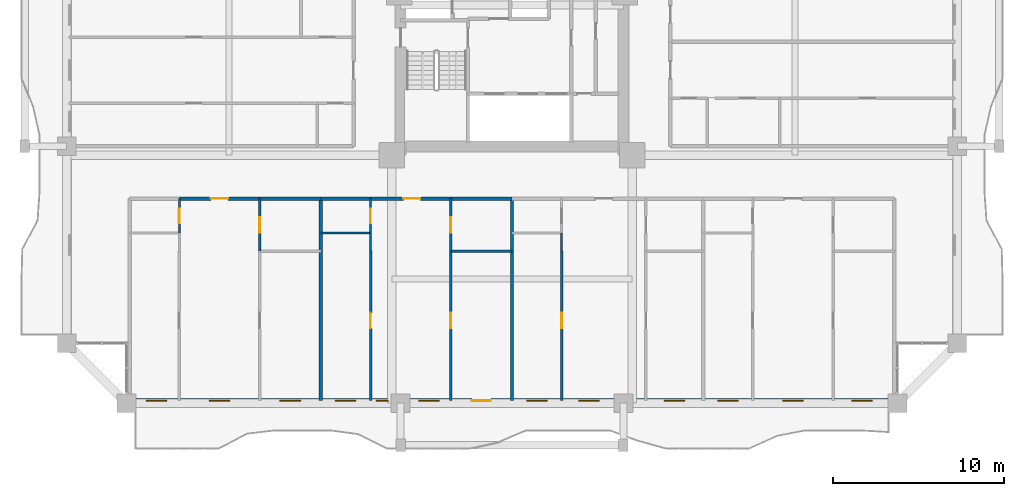
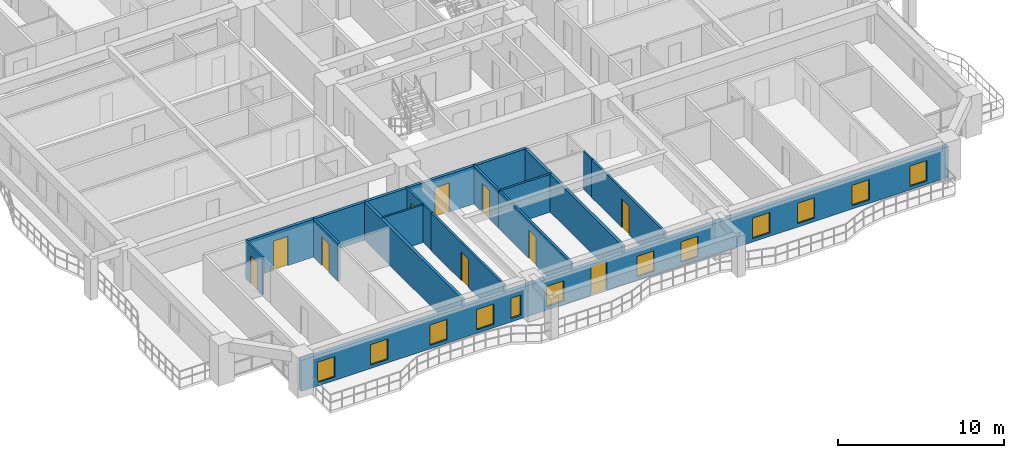
# One storey, part 14 of 27: 19 walls, 12 windows, 10 doors, 22 openings.
"""IFC4 building model written with IfcOpenShell, lengths in metres."""

from ifc_helpers import new_model, si_unit, direction, frame, frame_2d, origin, place, context, subcontext, project, spatial, rectangle, extrude, source, transform, mapped, material, layer, layer_set, type_object, element, fill, save


model = new_model("IFC4")

# Units and contexts
model_context = context("Model", 3, precision=1e-05, world=origin(), true_north=direction((0.0, 1.0)))
body_context = subcontext(model_context, "Body", "Model", "MODEL_VIEW")
ifc_project = project(units=[si_unit("LENGTHUNIT", "METRE"), si_unit("AREAUNIT", "SQUARE_METRE"), si_unit("VOLUMEUNIT", "CUBIC_METRE"), si_unit("PLANEANGLEUNIT", "RADIAN"), si_unit("MASSUNIT", "GRAM", prefix="KILO")], contexts=[model_context])

# Site, building, storey
site_placement = place(None, origin())
site = spatial("IfcSite", under=ifc_project, at=site_placement, CompositionType="ELEMENT")
building_placement = place(site_placement, origin())
building = spatial("IfcBuilding", under=site, at=building_placement, Name="Saelheon Loggia Tower", CompositionType="ELEMENT")
storey_placement = place(building_placement, frame((0.0, 0.0, 43.39990234375)))
storey = spatial("IfcBuildingStorey", under=building, at=storey_placement, Name="L13", CompositionType="ELEMENT", Elevation=43.39990234375)

# Wall, openings, windows, door
ifc_material_1 = material(Name="Architectural Precast Concrete C40/50", Category="concrete")
ifc_layer_1 = layer(ifc_material_1, 0.280029296875)
ifc_layer_set_1 = layer_set([ifc_layer_1], Name="Architectural Precast Concrete C40/50")
wall_type_1 = type_object("IfcWallType", Name="Wall_Ext_Loggia_280", PredefinedType="SOLIDWALL", material=ifc_layer_set_1)
wall_1_placement = place(storey_placement, frame((15.5, 3.139892578125, 0.0), z_axis=(0.0, 0.0, 1.0), x_axis=(1.0, 0.0, 0.0)))
wall_1 = element("IfcWall", 1, at=wall_1_placement, inside=storey, type_object=wall_type_1, Name="L13 South Loggia Inner Wall", PredefinedType="SOLIDWALL", context=body_context, shape_type="SweptSolid", body=[
    extrude(rectangle(XDim=45.0, YDim=0.280029296875, at=frame_2d((22.5, 0.0))), origin(), (0.0, 0.0, 1.0), 2.280029296875),
])
opening_1_placement = place(wall_1_placement, frame((1.1357421875, 0.0, 0.25)))
opening_1 = element("IfcOpeningElement", 2, at=opening_1_placement, cuts=wall_1, Name="Opening WN-03", PredefinedType="OPENING", context=body_context, shape_type="SweptSolid", body=[
    extrude(rectangle(XDim=1.199951171875, YDim=1.5, at=frame_2d((0.60009765625, 0.75))), frame((0.0, 0.152099609375, 0.0), z_axis=(0.0, -1.0, 0.0), x_axis=(1.0, 0.0, 0.0)), (0.0, 0.0, 1.0), 0.303955078125),
])
opening_2_placement = place(wall_1_placement, frame((4.8251953125, 0.0, 0.25)))
opening_2 = element("IfcOpeningElement", 3, at=opening_2_placement, cuts=wall_1, Name="Opening WN-03", PredefinedType="OPENING", context=body_context, shape_type="SweptSolid", body=[
    extrude(rectangle(XDim=1.199951171875, YDim=1.5, at=frame_2d((0.60009765625, 0.75))), frame((0.0, 0.152099609375, 0.0), z_axis=(0.0, -1.0, 0.0), x_axis=(1.0, 0.0, 0.0)), (0.0, 0.0, 1.0), 0.303955078125),
])
opening_3_placement = place(wall_1_placement, frame((8.954345703125, 0.0, 0.25)))
opening_3 = element("IfcOpeningElement", 4, at=opening_3_placement, cuts=wall_1, Name="Opening WN-03", PredefinedType="OPENING", context=body_context, shape_type="SweptSolid", body=[
    extrude(rectangle(XDim=1.199951171875, YDim=1.5, at=frame_2d((0.60009765625, 0.75))), frame((0.0, 0.152099609375, 0.0), z_axis=(0.0, -1.0, 0.0), x_axis=(1.0, 0.0, 0.0)), (0.0, 0.0, 1.0), 0.303955078125),
])
opening_4_placement = place(wall_1_placement, frame((12.19091796875, 0.0, 0.25)))
opening_4 = element("IfcOpeningElement", 5, at=opening_4_placement, cuts=wall_1, Name="Opening WN-03", PredefinedType="OPENING", context=body_context, shape_type="SweptSolid", body=[
    extrude(rectangle(XDim=1.199951171875, YDim=1.5, at=frame_2d((0.60009765625, 0.75))), frame((0.0, 0.152099609375, 0.0), z_axis=(0.0, -1.0, 0.0), x_axis=(1.0, 0.0, 0.0)), (0.0, 0.0, 1.0), 0.303955078125),
])
opening_5_placement = place(wall_1_placement, frame((14.57568359375, 0.0, 0.25)))
opening_5 = element("IfcOpeningElement", 6, at=opening_5_placement, cuts=wall_1, Name="Opening WN-06", PredefinedType="OPENING", context=body_context, shape_type="SweptSolid", body=[
    extrude(rectangle(XDim=0.699951171875, YDim=1.5, at=frame_2d((0.35009765625, 0.75))), frame((0.0, 0.152099609375, 0.0), z_axis=(0.0, -1.0, 0.0), x_axis=(1.0, 0.0, 0.0)), (0.0, 0.0, 1.0), 0.303955078125),
])
opening_6_placement = place(wall_1_placement, frame((17.059326171875, 0.0, 0.25)))
opening_6 = element("IfcOpeningElement", 7, at=opening_6_placement, cuts=wall_1, Name="Opening WN-03", PredefinedType="OPENING", context=body_context, shape_type="SweptSolid", body=[
    extrude(rectangle(XDim=1.199951171875, YDim=1.5, at=frame_2d((0.60009765625, 0.75))), frame((0.0, 0.152099609375, 0.0), z_axis=(0.0, -1.0, 0.0), x_axis=(1.0, 0.0, 0.0)), (0.0, 0.0, 1.0), 0.303955078125),
])
opening_7_placement = place(wall_1_placement, frame((21.264404296875, 0.0, 0.0), z_axis=(0.0, 0.0, 1.0), x_axis=(-1.0, 0.0, 0.0)))
opening_7 = element("IfcOpeningElement", 8, at=opening_7_placement, cuts=wall_1, Name="Opening TD1", PredefinedType="OPENING", context=body_context, shape_type="SweptSolid", body=[
    extrude(rectangle(XDim=1.10009765625, YDim=2.14990234375, at=frame_2d((0.550048828125, 1.074951171875))), frame((0.0, 0.152099609375, 0.0), z_axis=(0.0, -1.0, 0.0), x_axis=(1.0, 0.0, 0.0)), (0.0, 0.0, 1.0), 0.303955078125),
])
opening_8_placement = place(wall_1_placement, frame((23.350830078125, 0.0, 0.25)))
opening_8 = element("IfcOpeningElement", 9, at=opening_8_placement, cuts=wall_1, Name="Opening WN-03", PredefinedType="OPENING", context=body_context, shape_type="SweptSolid", body=[
    extrude(rectangle(XDim=1.199951171875, YDim=1.5, at=frame_2d((0.60009765625, 0.75))), frame((0.0, 0.152099609375, 0.0), z_axis=(0.0, -1.0, 0.0), x_axis=(1.0, 0.0, 0.0)), (0.0, 0.0, 1.0), 0.303955078125),
])
opening_9_placement = place(wall_1_placement, frame((26.40576171875, 0.0, 0.25)))
opening_9 = element("IfcOpeningElement", 10, at=opening_9_placement, cuts=wall_1, Name="Opening WN-03", PredefinedType="OPENING", context=body_context, shape_type="SweptSolid", body=[
    extrude(rectangle(XDim=1.199951171875, YDim=1.5, at=frame_2d((0.60009765625, 0.75))), frame((0.0, 0.152099609375, 0.0), z_axis=(0.0, -1.0, 0.0), x_axis=(1.0, 0.0, 0.0)), (0.0, 0.0, 1.0), 0.303955078125),
])
opening_10_placement = place(wall_1_placement, frame((31.389892578125, 0.0, 0.25)))
opening_10 = element("IfcOpeningElement", 11, at=opening_10_placement, cuts=wall_1, Name="Opening WN-03", PredefinedType="OPENING", context=body_context, shape_type="SweptSolid", body=[
    extrude(rectangle(XDim=1.199951171875, YDim=1.5, at=frame_2d((0.60009765625, 0.75))), frame((0.0, 0.152099609375, 0.0), z_axis=(0.0, -1.0, 0.0), x_axis=(1.0, 0.0, 0.0)), (0.0, 0.0, 1.0), 0.303955078125),
])
opening_11_placement = place(wall_1_placement, frame((34.5107421875, 0.0, 0.25)))
opening_11 = element("IfcOpeningElement", 12, at=opening_11_placement, cuts=wall_1, Name="Opening WN-03", PredefinedType="OPENING", context=body_context, shape_type="SweptSolid", body=[
    extrude(rectangle(XDim=1.199951171875, YDim=1.5, at=frame_2d((0.60009765625, 0.75))), frame((0.0, 0.152099609375, 0.0), z_axis=(0.0, -1.0, 0.0), x_axis=(1.0, 0.0, 0.0)), (0.0, 0.0, 1.0), 0.303955078125),
])
opening_12_placement = place(wall_1_placement, frame((38.30517578125, 0.0, 0.25)))
opening_12 = element("IfcOpeningElement", 13, at=opening_12_placement, cuts=wall_1, Name="Opening WN-03", PredefinedType="OPENING", context=body_context, shape_type="SweptSolid", body=[
    extrude(rectangle(XDim=1.199951171875, YDim=1.5, at=frame_2d((0.60009765625, 0.75))), frame((0.0, 0.152099609375, 0.0), z_axis=(0.0, -1.0, 0.0), x_axis=(1.0, 0.0, 0.0)), (0.0, 0.0, 1.0), 0.303955078125),
])
opening_13_placement = place(wall_1_placement, frame((42.329345703125, 0.0, 0.25)))
opening_13 = element("IfcOpeningElement", 14, at=opening_13_placement, cuts=wall_1, Name="Opening WN-03", PredefinedType="OPENING", context=body_context, shape_type="SweptSolid", body=[
    extrude(rectangle(XDim=1.199951171875, YDim=1.5, at=frame_2d((0.60009765625, 0.75))), frame((0.0, 0.152099609375, 0.0), z_axis=(0.0, -1.0, 0.0), x_axis=(1.0, 0.0, 0.0)), (0.0, 0.0, 1.0), 0.303955078125),
])
ifc_material_2 = material(Name="Thermal-Break Aluminium and Triple Low-E Glass", Category="aluminium")
window_type_1 = type_object("IfcWindowType", Name="Win_Slot_700x1500", PartitioningType="SINGLE_PANEL", PredefinedType="WINDOW", material=ifc_material_2)
shared_shape_1 = source(origin(), body_context, "Body", "SweptSolid", [
    extrude(rectangle(XDim=0.699951171875, YDim=1.5, at=frame_2d((0.35009765625, 0.75))), frame((0.0, 0.030029296875, 0.0), z_axis=(0.0, -1.0, 0.0), x_axis=(1.0, 0.0, 0.0)), (0.0, 0.0, 1.0), 0.06005859375),
])
window_1_placement = place(opening_5_placement, origin())
window_1 = element("IfcWindow", 15, at=window_1_placement, inside=storey, type_object=window_type_1, Name="L13 S Dwelling Window 5", OverallHeight=1.5, OverallWidth=0.699951171875, PartitioningType="SINGLE_PANEL", PredefinedType="WINDOW", context=body_context, shape_type="MappedRepresentation", body=[
    mapped(shared_shape_1, transform((0.0, 0.0, 0.0), scale=1.0)),
])
fill(opening_5, window_1)
window_type_2 = type_object("IfcWindowType", Name="Win_Bedroom_1200x1500", PartitioningType="SINGLE_PANEL", PredefinedType="WINDOW", material=ifc_material_2)
shared_shape_2 = source(origin(), body_context, "Body", "SweptSolid", [
    extrude(rectangle(XDim=1.199951171875, YDim=1.5, at=frame_2d((0.60009765625, 0.75))), frame((0.0, 0.030029296875, 0.0), z_axis=(0.0, -1.0, 0.0), x_axis=(1.0, 0.0, 0.0)), (0.0, 0.0, 1.0), 0.06005859375),
])
window_2_placement = place(opening_1_placement, origin())
window_2 = element("IfcWindow", 16, at=window_2_placement, inside=storey, type_object=window_type_2, Name="L13 S Dwelling Window 1", OverallHeight=1.5, OverallWidth=1.199951171875, PartitioningType="SINGLE_PANEL", PredefinedType="WINDOW", context=body_context, shape_type="MappedRepresentation", body=[
    mapped(shared_shape_2, transform((0.0, 0.0, 0.0), scale=1.0)),
])
fill(opening_1, window_2)
window_3_placement = place(opening_2_placement, origin())
window_3 = element("IfcWindow", 17, at=window_3_placement, inside=storey, type_object=window_type_2, Name="L13 S Dwelling Window 2", OverallHeight=1.5, OverallWidth=1.199951171875, PartitioningType="SINGLE_PANEL", PredefinedType="WINDOW", context=body_context, shape_type="MappedRepresentation", body=[
    mapped(shared_shape_2, transform((0.0, 0.0, 0.0), scale=1.0)),
])
fill(opening_2, window_3)
window_4_placement = place(opening_3_placement, origin())
window_4 = element("IfcWindow", 18, at=window_4_placement, inside=storey, type_object=window_type_2, Name="L13 S Dwelling Window 3", OverallHeight=1.5, OverallWidth=1.199951171875, PartitioningType="SINGLE_PANEL", PredefinedType="WINDOW", context=body_context, shape_type="MappedRepresentation", body=[
    mapped(shared_shape_2, transform((0.0, 0.0, 0.0), scale=1.0)),
])
fill(opening_3, window_4)
window_5_placement = place(opening_4_placement, origin())
window_5 = element("IfcWindow", 19, at=window_5_placement, inside=storey, type_object=window_type_2, Name="L13 S Dwelling Window 4", OverallHeight=1.5, OverallWidth=1.199951171875, PartitioningType="SINGLE_PANEL", PredefinedType="WINDOW", context=body_context, shape_type="MappedRepresentation", body=[
    mapped(shared_shape_2, transform((0.0, 0.0, 0.0), scale=1.0)),
])
fill(opening_4, window_5)
window_6_placement = place(opening_6_placement, origin())
window_6 = element("IfcWindow", 20, at=window_6_placement, inside=storey, type_object=window_type_2, Name="L13 S Dwelling Window 6", OverallHeight=1.5, OverallWidth=1.199951171875, PartitioningType="SINGLE_PANEL", PredefinedType="WINDOW", context=body_context, shape_type="MappedRepresentation", body=[
    mapped(shared_shape_2, transform((0.0, 0.0, 0.0), scale=1.0)),
])
fill(opening_6, window_6)
window_7_placement = place(opening_8_placement, origin())
window_7 = element("IfcWindow", 21, at=window_7_placement, inside=storey, type_object=window_type_2, Name="L13 S Dwelling Window 8", OverallHeight=1.5, OverallWidth=1.199951171875, PartitioningType="SINGLE_PANEL", PredefinedType="WINDOW", context=body_context, shape_type="MappedRepresentation", body=[
    mapped(shared_shape_2, transform((0.0, 0.0, 0.0), scale=1.0)),
])
fill(opening_8, window_7)
window_8_placement = place(opening_9_placement, origin())
window_8 = element("IfcWindow", 22, at=window_8_placement, inside=storey, type_object=window_type_2, Name="L13 S Dwelling Window 9", OverallHeight=1.5, OverallWidth=1.199951171875, PartitioningType="SINGLE_PANEL", PredefinedType="WINDOW", context=body_context, shape_type="MappedRepresentation", body=[
    mapped(shared_shape_2, transform((0.0, 0.0, 0.0), scale=1.0)),
])
fill(opening_9, window_8)
window_9_placement = place(opening_10_placement, origin())
window_9 = element("IfcWindow", 23, at=window_9_placement, inside=storey, type_object=window_type_2, Name="L13 S Dwelling Window 10", OverallHeight=1.5, OverallWidth=1.199951171875, PartitioningType="SINGLE_PANEL", PredefinedType="WINDOW", context=body_context, shape_type="MappedRepresentation", body=[
    mapped(shared_shape_2, transform((0.0, 0.0, 0.0), scale=1.0)),
])
fill(opening_10, window_9)
window_10_placement = place(opening_11_placement, origin())
window_10 = element("IfcWindow", 24, at=window_10_placement, inside=storey, type_object=window_type_2, Name="L13 S Dwelling Window 11", OverallHeight=1.5, OverallWidth=1.199951171875, PartitioningType="SINGLE_PANEL", PredefinedType="WINDOW", context=body_context, shape_type="MappedRepresentation", body=[
    mapped(shared_shape_2, transform((0.0, 0.0, 0.0), scale=1.0)),
])
fill(opening_11, window_10)
window_11_placement = place(opening_12_placement, origin())
window_11 = element("IfcWindow", 25, at=window_11_placement, inside=storey, type_object=window_type_2, Name="L13 S Dwelling Window 12", OverallHeight=1.5, OverallWidth=1.199951171875, PartitioningType="SINGLE_PANEL", PredefinedType="WINDOW", context=body_context, shape_type="MappedRepresentation", body=[
    mapped(shared_shape_2, transform((0.0, 0.0, 0.0), scale=1.0)),
])
fill(opening_12, window_11)
window_12_placement = place(opening_13_placement, origin())
window_12 = element("IfcWindow", 26, at=window_12_placement, inside=storey, type_object=window_type_2, Name="L13 S Dwelling Window 13", OverallHeight=1.5, OverallWidth=1.199951171875, PartitioningType="SINGLE_PANEL", PredefinedType="WINDOW", context=body_context, shape_type="MappedRepresentation", body=[
    mapped(shared_shape_2, transform((0.0, 0.0, 0.0), scale=1.0)),
])
fill(opening_13, window_12)
ifc_material_3 = material(Name="Thermal-Break Aluminium Glazed Door", Category="aluminium")
door_type_1 = type_object("IfcDoorType", Name="Door_Terrace_TD1", OperationType="NOTDEFINED", PredefinedType="DOOR", material=ifc_material_3)
shared_shape_3 = source(origin(), body_context, "Body", "SweptSolid", [
    extrude(rectangle(XDim=1.10009765625, YDim=2.14990234375, at=frame_2d((0.550048828125, 1.074951171875))), frame((0.0, 0.02490234375, 0.0), z_axis=(0.0, -1.0, 0.0), x_axis=(1.0, 0.0, 0.0)), (0.0, 0.0, 1.0), 0.050048828125),
])
door_1_placement = place(opening_7_placement, origin())
door_1 = element("IfcDoor", 27, at=door_1_placement, inside=storey, type_object=door_type_1, Name="L13 S Loggia Access Door", OperationType="SINGLE_SWING_LEFT", OverallHeight=2.14990234375, OverallWidth=1.10009765625, PredefinedType="DOOR", context=body_context, shape_type="MappedRepresentation", body=[
    mapped(shared_shape_3, transform((0.0, 0.0, 0.0), scale=1.0)),
])
fill(opening_7, door_1)

# Wall, opening, door
ifc_material_4 = material(Name="Lightweight Autoclaved Aerated Concrete Block and Acoustic Gypsum", Category="concrete")
ifc_layer_2 = layer(ifc_material_4, 0.14990234375)
ifc_layer_set_2 = layer_set([ifc_layer_2], Name="Lightweight Autoclaved Aerated Concrete Block and Acoustic Gypsum")
wall_type_2 = type_object("IfcWallType", Name="Wall_Part_150", PredefinedType="PARTITIONING", material=ifc_layer_set_2)
wall_2_placement = place(storey_placement, frame((23.268798828125, 14.949951171875, 0.0), z_axis=(0.0, 0.0, 1.0), x_axis=(0.0, -1.0, 0.0)))
wall_2 = element("IfcWall", 28, at=wall_2_placement, inside=storey, type_object=wall_type_2, Name="L13 S Partition U11", PredefinedType="PARTITIONING", context=body_context, shape_type="SweptSolid", body=[
    extrude(rectangle(XDim=3.070068359375, YDim=0.14990234375, at=frame_2d((1.53515625, 0.0))), origin(), (0.0, 0.0, 1.0), 2.7900390625),
])
opening_14_placement = place(wall_2_placement, frame((1.0849609375, 0.0, 0.0)))
opening_14 = element("IfcOpeningElement", 29, at=opening_14_placement, cuts=wall_2, Name="Opening D-IN2", PredefinedType="OPENING", context=body_context, shape_type="SweptSolid", body=[
    extrude(rectangle(XDim=0.89990234375, YDim=2.10009765625, at=frame_2d((0.449951171875, 1.050048828125))), frame((0.0, 0.0869140625, 0.0), z_axis=(0.0, -1.0, 0.0), x_axis=(1.0, 0.0, 0.0)), (0.0, 0.0, 1.0), 0.173828125),
])
ifc_material_5 = material(Name="Engineered Oak Flush Door", Category="timber")
door_type_2 = type_object("IfcDoorType", Name="Door_Int_900", OperationType="NOTDEFINED", PredefinedType="DOOR", material=ifc_material_5)
shared_shape_4 = source(origin(), body_context, "Body", "SweptSolid", [
    extrude(rectangle(XDim=0.89990234375, YDim=2.10009765625, at=frame_2d((0.449951171875, 1.050048828125))), frame((0.0, 0.02490234375, 0.0), z_axis=(0.0, -1.0, 0.0), x_axis=(1.0, 0.0, 0.0)), (0.0, 0.0, 1.0), 0.050048828125),
])
door_2_placement = place(opening_14_placement, origin())
door_2 = element("IfcDoor", 30, at=door_2_placement, inside=storey, type_object=door_type_2, Name="Unit U01 Kitchen Door", OperationType="SINGLE_SWING_RIGHT", OverallHeight=2.10009765625, OverallWidth=0.89990234375, PredefinedType="DOOR", context=body_context, shape_type="MappedRepresentation", body=[
    mapped(shared_shape_4, transform((0.0, 0.0, 0.0), scale=1.0)),
])
fill(opening_14, door_2)

# Wall
wall_3_placement = place(storey_placement, frame((34.4287109375, 11.8798828125, 0.0), z_axis=(0.0, 0.0, 1.0), x_axis=(1.0, 0.0, 0.0)))
element("IfcWall", 31, at=wall_3_placement, inside=storey, type_object=wall_type_2, Name="L13 S Partition V18", PredefinedType="PARTITIONING", context=body_context, shape_type="SweptSolid", body=[
    extrude(rectangle(XDim=3.5712890625, YDim=0.14990234375, at=frame_2d((1.78564453125, 0.0))), origin(), (0.0, 0.0, 1.0), 2.7900390625),
])

# Wall, opening, door
wall_4_placement = place(storey_placement, frame((29.74169921875, 11.8798828125, 0.0), z_axis=(0.0, 0.0, 1.0), x_axis=(0.0, -1.0, 0.0)))
wall_4 = element("IfcWall", 32, at=wall_4_placement, inside=storey, type_object=wall_type_2, Name="L13 S Partition U21", PredefinedType="PARTITIONING", context=body_context, shape_type="SweptSolid", body=[
    extrude(rectangle(XDim=8.72998046875, YDim=0.14990234375, at=frame_2d((4.364990234375, 0.0))), origin(), (0.0, 0.0, 1.0), 2.7900390625),
])
opening_15_placement = place(wall_4_placement, frame((3.608642578125, 0.0, 0.0)))
opening_15 = element("IfcOpeningElement", 33, at=opening_15_placement, cuts=wall_4, Name="Opening D-IN2", PredefinedType="OPENING", context=body_context, shape_type="SweptSolid", body=[
    extrude(rectangle(XDim=0.89990234375, YDim=2.10009765625, at=frame_2d((0.449951171875, 1.050048828125))), frame((0.0, 0.0869140625, 0.0), z_axis=(0.0, -1.0, 0.0), x_axis=(1.0, 0.0, 0.0)), (0.0, 0.0, 1.0), 0.173828125),
])
door_3_placement = place(opening_15_placement, origin())
door_3 = element("IfcDoor", 34, at=door_3_placement, inside=storey, type_object=door_type_2, Name="Unit U02 Bedroom 2 Door", OperationType="SINGLE_SWING_RIGHT", OverallHeight=2.10009765625, OverallWidth=0.89990234375, PredefinedType="DOOR", context=body_context, shape_type="MappedRepresentation", body=[
    mapped(shared_shape_4, transform((0.0, 0.0, 0.0), scale=1.0)),
])
fill(opening_15, door_3)

wall_5_placement = place(storey_placement, frame((34.4287109375, 14.949951171875, 0.0), z_axis=(0.0, 0.0, 1.0), x_axis=(0.0, -1.0, 0.0)))
wall_5 = element("IfcWall", 35, at=wall_5_placement, inside=storey, type_object=wall_type_2, Name="L13 S Partition U22", PredefinedType="PARTITIONING", context=body_context, shape_type="SweptSolid", body=[
    extrude(rectangle(XDim=3.070068359375, YDim=0.14990234375, at=frame_2d((1.53515625, 0.0))), origin(), (0.0, 0.0, 1.0), 2.7900390625),
])
opening_16_placement = place(wall_5_placement, frame((1.0849609375, 0.0, 0.0)))
opening_16 = element("IfcOpeningElement", 36, at=opening_16_placement, cuts=wall_5, Name="Opening D-IN2", PredefinedType="OPENING", context=body_context, shape_type="SweptSolid", body=[
    extrude(rectangle(XDim=0.89990234375, YDim=2.10009765625, at=frame_2d((0.449951171875, 1.050048828125))), frame((0.0, 0.0869140625, 0.0), z_axis=(0.0, -1.0, 0.0), x_axis=(1.0, 0.0, 0.0)), (0.0, 0.0, 1.0), 0.173828125),
])
door_4_placement = place(opening_16_placement, origin())
door_4 = element("IfcDoor", 37, at=door_4_placement, inside=storey, type_object=door_type_2, Name="Unit U02 Kitchen Door", OperationType="SINGLE_SWING_LEFT", OverallHeight=2.10009765625, OverallWidth=0.89990234375, PredefinedType="DOOR", context=body_context, shape_type="MappedRepresentation", body=[
    mapped(shared_shape_4, transform((0.0, 0.0, 0.0), scale=1.0)),
])
fill(opening_16, door_4)

wall_6_placement = place(storey_placement, frame((34.4287109375, 11.8798828125, 0.0), z_axis=(0.0, 0.0, 1.0), x_axis=(0.0, -1.0, 0.0)))
wall_6 = element("IfcWall", 38, at=wall_6_placement, inside=storey, type_object=wall_type_2, Name="L13 S Partition U23", PredefinedType="PARTITIONING", context=body_context, shape_type="SweptSolid", body=[
    extrude(rectangle(XDim=8.72998046875, YDim=0.14990234375, at=frame_2d((4.364990234375, 0.0))), origin(), (0.0, 0.0, 1.0), 2.7900390625),
])
opening_17_placement = place(wall_6_placement, frame((3.608642578125, 0.0, 0.0)))
opening_17 = element("IfcOpeningElement", 39, at=opening_17_placement, cuts=wall_6, Name="Opening D-IN2", PredefinedType="OPENING", context=body_context, shape_type="SweptSolid", body=[
    extrude(rectangle(XDim=0.89990234375, YDim=2.10009765625, at=frame_2d((0.449951171875, 1.050048828125))), frame((0.0, 0.0869140625, 0.0), z_axis=(0.0, -1.0, 0.0), x_axis=(1.0, 0.0, 0.0)), (0.0, 0.0, 1.0), 0.173828125),
])
door_5_placement = place(opening_17_placement, origin())
door_5 = element("IfcDoor", 40, at=door_5_placement, inside=storey, type_object=door_type_2, Name="Unit U02 Bedroom 1 Door", OperationType="SINGLE_SWING_RIGHT", OverallHeight=2.10009765625, OverallWidth=0.89990234375, PredefinedType="DOOR", context=body_context, shape_type="MappedRepresentation", body=[
    mapped(shared_shape_4, transform((0.0, 0.0, 0.0), scale=1.0)),
])
fill(opening_17, door_5)

wall_7_placement = place(storey_placement, frame((40.901611328125, 11.8798828125, 0.0), z_axis=(0.0, 0.0, 1.0), x_axis=(0.0, -1.0, 0.0)))
wall_7 = element("IfcWall", 41, at=wall_7_placement, inside=storey, type_object=wall_type_2, Name="L13 S Partition U32", PredefinedType="PARTITIONING", context=body_context, shape_type="SweptSolid", body=[
    extrude(rectangle(XDim=8.72998046875, YDim=0.14990234375, at=frame_2d((4.364990234375, 0.0))), origin(), (0.0, 0.0, 1.0), 2.7900390625),
])
opening_18_placement = place(wall_7_placement, frame((3.608642578125, 0.0, 0.0)))
opening_18 = element("IfcOpeningElement", 42, at=opening_18_placement, cuts=wall_7, Name="Opening D-IN2", PredefinedType="OPENING", context=body_context, shape_type="SweptSolid", body=[
    extrude(rectangle(XDim=0.89990234375, YDim=2.10009765625, at=frame_2d((0.449951171875, 1.050048828125))), frame((0.0, 0.0869140625, 0.0), z_axis=(0.0, -1.0, 0.0), x_axis=(1.0, 0.0, 0.0)), (0.0, 0.0, 1.0), 0.173828125),
])
door_6_placement = place(opening_18_placement, origin())
door_6 = element("IfcDoor", 43, at=door_6_placement, inside=storey, type_object=door_type_2, Name="Unit U03 Bedroom 2 Door", OperationType="SINGLE_SWING_LEFT", OverallHeight=2.10009765625, OverallWidth=0.89990234375, PredefinedType="DOOR", context=body_context, shape_type="MappedRepresentation", body=[
    mapped(shared_shape_4, transform((0.0, 0.0, 0.0), scale=1.0)),
])
fill(opening_18, door_6)

ifc_material_6 = material(Name="Double Acoustic Stud and Fireboard Partition", Category="gypsum")
ifc_layer_3 = layer(ifc_material_6, 0.199951171875)
ifc_layer_set_3 = layer_set([ifc_layer_3], Name="Double Acoustic Stud and Fireboard Partition")
wall_type_3 = type_object("IfcWallType", Name="Wall_Party_200", PredefinedType="PARTITIONING", material=ifc_layer_set_3)
wall_8_placement = place(storey_placement, frame((18.58154296875, 14.949951171875, 0.0), z_axis=(0.0, 0.0, 1.0), x_axis=(1.0, 0.0, 0.0)))
wall_8 = element("IfcWall", 44, at=wall_8_placement, inside=storey, type_object=wall_type_3, Name="L13 S Partition V04", PredefinedType="PARTITIONING", context=body_context, shape_type="SweptSolid", body=[
    extrude(rectangle(XDim=4.687255859375, YDim=0.199951171875, at=frame_2d((2.34375, 0.0))), origin(), (0.0, 0.0, 1.0), 2.7900390625),
])
opening_19_placement = place(wall_8_placement, frame((1.843505859375, 0.0, 0.0)))
opening_19 = element("IfcOpeningElement", 45, at=opening_19_placement, cuts=wall_8, Name="Opening D-FD1", PredefinedType="OPENING", context=body_context, shape_type="SweptSolid", body=[
    extrude(rectangle(XDim=1.0, YDim=2.14990234375, at=frame_2d((0.5, 1.074951171875))), frame((0.0, 0.112060546875, 0.0), z_axis=(0.0, -1.0, 0.0), x_axis=(1.0, 0.0, 0.0)), (0.0, 0.0, 1.0), 0.223876953125),
])
ifc_material_7 = material(Name="Fire-Rated Engineered Timber Entrance Door", Category="wood")
door_type_3 = type_object("IfcDoorType", Name="Door_Flat_FD30S", OperationType="NOTDEFINED", PredefinedType="DOOR", material=ifc_material_7)
shared_shape_5 = source(origin(), body_context, "Body", "SweptSolid", [
    extrude(rectangle(XDim=1.0, YDim=2.14990234375, at=frame_2d((0.5, 1.074951171875))), frame((0.0, 0.02490234375, 0.0), z_axis=(0.0, -1.0, 0.0), x_axis=(1.0, 0.0, 0.0)), (0.0, 0.0, 1.0), 0.050048828125),
])
door_7_placement = place(opening_19_placement, origin())
door_7 = element("IfcDoor", 46, at=door_7_placement, inside=storey, type_object=door_type_3, Name="Unit U01 Entrance Door", OperationType="SINGLE_SWING_LEFT", OverallHeight=2.14990234375, OverallWidth=1.0, PredefinedType="DOOR", context=body_context, shape_type="MappedRepresentation", body=[
    mapped(shared_shape_5, transform((0.0, 0.0, 0.0), scale=1.0)),
])
fill(opening_19, door_7)

# Walls
wall_9_placement = place(storey_placement, frame((23.268798828125, 14.949951171875, 0.0), z_axis=(0.0, 0.0, 1.0), x_axis=(1.0, 0.0, 0.0)))
element("IfcWall", 47, at=wall_9_placement, inside=storey, type_object=wall_type_3, Name="L13 S Partition V05", PredefinedType="PARTITIONING", context=body_context, shape_type="SweptSolid", body=[
    extrude(rectangle(XDim=3.5712890625, YDim=0.199951171875, at=frame_2d((1.78564453125, 0.0))), origin(), (0.0, 0.0, 1.0), 2.7900390625),
])
wall_10_placement = place(storey_placement, frame((26.840087890625, 14.949951171875, 0.0), z_axis=(0.0, 0.0, 1.0), x_axis=(0.0, -1.0, 0.0)))
element("IfcWall", 48, at=wall_10_placement, inside=storey, type_object=wall_type_3, Name="L13 S Partition U13", PredefinedType="PARTITIONING", context=body_context, shape_type="SweptSolid", body=[
    extrude(rectangle(XDim=11.800048828125, YDim=0.199951171875, at=frame_2d((5.89990234375, 0.0))), origin(), (0.0, 0.0, 1.0), 2.7900390625),
])
wall_11_placement = place(storey_placement, frame((26.840087890625, 14.949951171875, 0.0), z_axis=(0.0, 0.0, 1.0), x_axis=(1.0, 0.0, 0.0)))
element("IfcWall", 49, at=wall_11_placement, inside=storey, type_object=wall_type_3, Name="L13 S Partition V14", PredefinedType="PARTITIONING", context=body_context, shape_type="SweptSolid", body=[
    extrude(rectangle(XDim=2.901611328125, YDim=0.199951171875, at=frame_2d((1.45068359375, 0.0))), origin(), (0.0, 0.0, 1.0), 2.7900390625),
])

# Wall, opening, door
wall_12_placement = place(storey_placement, frame((29.74169921875, 14.949951171875, 0.0), z_axis=(0.0, 0.0, 1.0), x_axis=(1.0, 0.0, 0.0)))
wall_12 = element("IfcWall", 50, at=wall_12_placement, inside=storey, type_object=wall_type_3, Name="L13 S Partition V15", PredefinedType="PARTITIONING", context=body_context, shape_type="SweptSolid", body=[
    extrude(rectangle(XDim=4.68701171875, YDim=0.199951171875, at=frame_2d((2.343505859375, 0.0))), origin(), (0.0, 0.0, 1.0), 2.7900390625),
])
opening_20_placement = place(wall_12_placement, frame((1.90966796875, 0.0, 0.0)))
opening_20 = element("IfcOpeningElement", 51, at=opening_20_placement, cuts=wall_12, Name="Opening D-FD1", PredefinedType="OPENING", context=body_context, shape_type="SweptSolid", body=[
    extrude(rectangle(XDim=1.0, YDim=2.14990234375, at=frame_2d((0.5, 1.074951171875))), frame((0.0, 0.112060546875, 0.0), z_axis=(0.0, -1.0, 0.0), x_axis=(1.0, 0.0, 0.0)), (0.0, 0.0, 1.0), 0.223876953125),
])
door_8_placement = place(opening_20_placement, origin())
door_8 = element("IfcDoor", 52, at=door_8_placement, inside=storey, type_object=door_type_3, Name="Unit U02 Entrance Door", OperationType="SINGLE_SWING_RIGHT", OverallHeight=2.14990234375, OverallWidth=1.0, PredefinedType="DOOR", context=body_context, shape_type="MappedRepresentation", body=[
    mapped(shared_shape_5, transform((0.0, 0.0, 0.0), scale=1.0)),
])
fill(opening_20, door_8)

# Walls
wall_13_placement = place(storey_placement, frame((34.4287109375, 14.949951171875, 0.0), z_axis=(0.0, 0.0, 1.0), x_axis=(1.0, 0.0, 0.0)))
element("IfcWall", 53, at=wall_13_placement, inside=storey, type_object=wall_type_3, Name="L13 S Partition V16", PredefinedType="PARTITIONING", context=body_context, shape_type="SweptSolid", body=[
    extrude(rectangle(XDim=3.5712890625, YDim=0.199951171875, at=frame_2d((1.78564453125, 0.0))), origin(), (0.0, 0.0, 1.0), 2.7900390625),
])
wall_14_placement = place(storey_placement, frame((38.0, 14.949951171875, 0.0), z_axis=(0.0, 0.0, 1.0), x_axis=(0.0, -1.0, 0.0)))
element("IfcWall", 54, at=wall_14_placement, inside=storey, type_object=wall_type_3, Name="L13 S Partition U24", PredefinedType="PARTITIONING", context=body_context, shape_type="SweptSolid", body=[
    extrude(rectangle(XDim=11.800048828125, YDim=0.199951171875, at=frame_2d((5.89990234375, 0.0))), origin(), (0.0, 0.0, 1.0), 2.7900390625),
])

# Wall, opening, door
ifc_material_8 = material(Name="Moisture-Resistant Cement Board Partition", Category="gypsum")
ifc_layer_4 = layer(ifc_material_8, 0.1201171875)
ifc_layer_set_4 = layer_set([ifc_layer_4], Name="Moisture-Resistant Cement Board Partition")
wall_type_4 = type_object("IfcWallType", Name="Wall_WetPart_120", PredefinedType="PARTITIONING", material=ifc_layer_set_4)
wall_15_placement = place(storey_placement, frame((18.58154296875, 14.949951171875, 0.0), z_axis=(0.0, 0.0, 1.0), x_axis=(0.0, -1.0, 0.0)))
wall_15 = element("IfcWall", 55, at=wall_15_placement, inside=storey, type_object=wall_type_4, Name="L13 S Partition U08", PredefinedType="PARTITIONING", context=body_context, shape_type="SweptSolid", body=[
    extrude(rectangle(XDim=2.02001953125, YDim=0.1201171875, at=frame_2d((1.010009765625, 0.0))), origin(), (0.0, 0.0, 1.0), 2.7900390625),
])
opening_21_placement = place(wall_15_placement, frame((0.5849609375, 0.0, 0.0)))
opening_21 = element("IfcOpeningElement", 56, at=opening_21_placement, cuts=wall_15, Name="Opening D-BT1", PredefinedType="OPENING", context=body_context, shape_type="SweptSolid", body=[
    extrude(rectangle(XDim=0.85009765625, YDim=2.050048828125, at=frame_2d((0.425048828125, 1.02490234375))), frame((0.0, 0.072021484375, 0.0), z_axis=(0.0, -1.0, 0.0), x_axis=(1.0, 0.0, 0.0)), (0.0, 0.0, 1.0), 0.14404296875),
])
ifc_material_9 = material(Name="Moisture-Resistant Laminate Timber Door", Category="wood")
door_type_4 = type_object("IfcDoorType", Name="Door_Bath_850", OperationType="NOTDEFINED", PredefinedType="DOOR", material=ifc_material_9)
shared_shape_6 = source(origin(), body_context, "Body", "SweptSolid", [
    extrude(rectangle(XDim=0.85009765625, YDim=2.050048828125, at=frame_2d((0.425048828125, 1.02490234375))), frame((0.0, 0.02490234375, 0.0), z_axis=(0.0, -1.0, 0.0), x_axis=(1.0, 0.0, 0.0)), (0.0, 0.0, 1.0), 0.050048828125),
])
door_9_placement = place(opening_21_placement, origin())
door_9 = element("IfcDoor", 57, at=door_9_placement, inside=storey, type_object=door_type_4, Name="Unit U01 Bathroom Door", OperationType="SINGLE_SWING_RIGHT", OverallHeight=2.050048828125, OverallWidth=0.85009765625, PredefinedType="DOOR", context=body_context, shape_type="MappedRepresentation", body=[
    mapped(shared_shape_6, transform((0.0, 0.0, 0.0), scale=1.0)),
])
fill(opening_21, door_9)

# Wall
wall_16_placement = place(storey_placement, frame((26.840087890625, 12.929931640625, 0.0), z_axis=(0.0, 0.0, 1.0), x_axis=(1.0, 0.0, 0.0)))
element("IfcWall", 58, at=wall_16_placement, inside=storey, type_object=wall_type_4, Name="L13 S Partition V17", PredefinedType="PARTITIONING", context=body_context, shape_type="SweptSolid", body=[
    extrude(rectangle(XDim=2.901611328125, YDim=0.1201171875, at=frame_2d((1.45068359375, 0.0))), origin(), (0.0, 0.0, 1.0), 2.7900390625),
])

# Wall, opening, door
wall_17_placement = place(storey_placement, frame((29.74169921875, 14.949951171875, 0.0), z_axis=(0.0, 0.0, 1.0), x_axis=(0.0, -1.0, 0.0)))
wall_17 = element("IfcWall", 59, at=wall_17_placement, inside=storey, type_object=wall_type_4, Name="L13 S Partition U19", PredefinedType="PARTITIONING", context=body_context, shape_type="SweptSolid", body=[
    extrude(rectangle(XDim=2.02001953125, YDim=0.1201171875, at=frame_2d((1.010009765625, 0.0))), origin(), (0.0, 0.0, 1.0), 2.7900390625),
])
opening_22_placement = place(wall_17_placement, frame((0.5849609375, 0.0, 0.0)))
opening_22 = element("IfcOpeningElement", 60, at=opening_22_placement, cuts=wall_17, Name="Opening D-BT1", PredefinedType="OPENING", context=body_context, shape_type="SweptSolid", body=[
    extrude(rectangle(XDim=0.85009765625, YDim=2.050048828125, at=frame_2d((0.425048828125, 1.02490234375))), frame((0.0, 0.072021484375, 0.0), z_axis=(0.0, -1.0, 0.0), x_axis=(1.0, 0.0, 0.0)), (0.0, 0.0, 1.0), 0.14404296875),
])
door_10_placement = place(opening_22_placement, origin())
door_10 = element("IfcDoor", 61, at=door_10_placement, inside=storey, type_object=door_type_4, Name="Unit U02 Bathroom Door", OperationType="SINGLE_SWING_LEFT", OverallHeight=2.050048828125, OverallWidth=0.85009765625, PredefinedType="DOOR", context=body_context, shape_type="MappedRepresentation", body=[
    mapped(shared_shape_6, transform((0.0, 0.0, 0.0), scale=1.0)),
])
fill(opening_22, door_10)

# Walls
for number, where, z_axis, x_axis, name in (
    (62, (29.74169921875, 12.929931640625, 0.0), (0.0, 0.0, 1.0), (0.0, -1.0, 0.0), "L13 S Partition U20"),
    (63, (40.901611328125, 12.929931640625, 0.0), (0.0, 0.0, 1.0), (0.0, -1.0, 0.0), "L13 S Partition U31"),
):
    element("IfcWall", number, at=place(storey_placement, frame(where, z_axis=z_axis, x_axis=x_axis)), inside=storey, type_object=wall_type_4, Name=name, PredefinedType="PARTITIONING", context=body_context, shape_type="SweptSolid", body=[
        extrude(rectangle(XDim=1.050048828125, YDim=0.1201171875, at=frame_2d((0.52490234375, 0.0))), origin(), (0.0, 0.0, 1.0), 2.7900390625),
    ])

save(model, "model.ifc")
